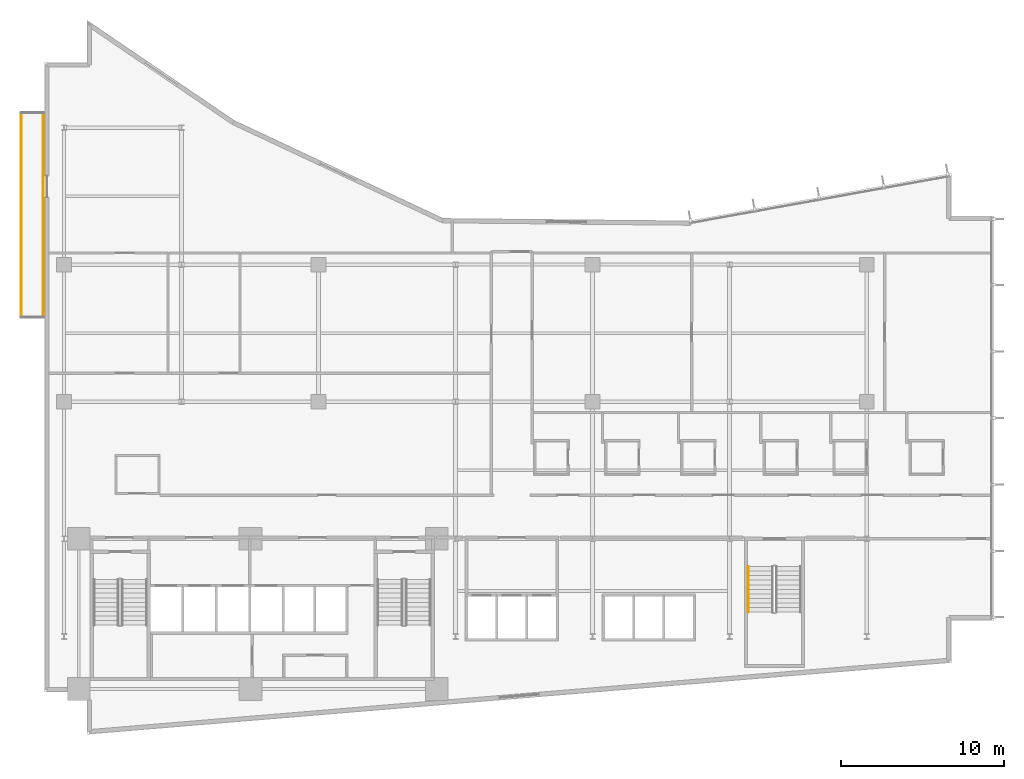
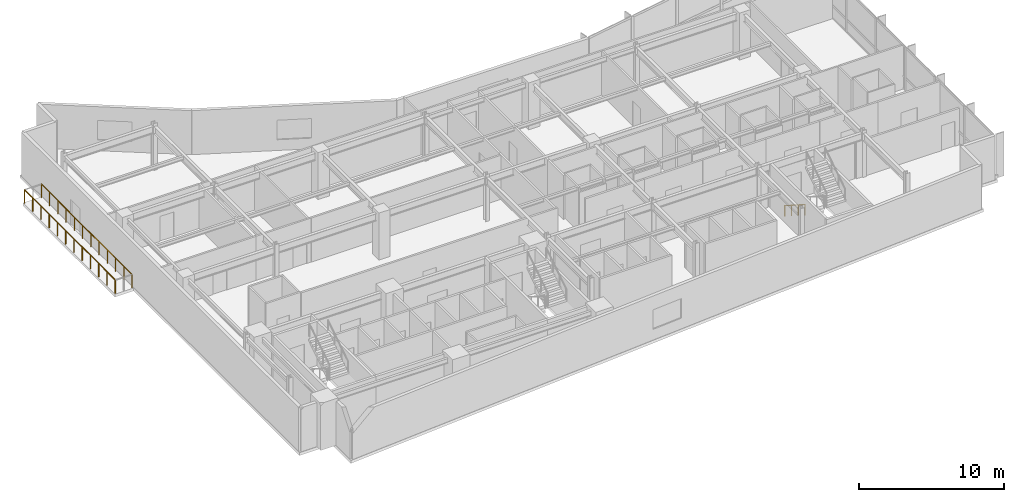
# One storey, part 17 of 20: 3 railings.
"""IFC4 building model written with IfcOpenShell, lengths in metres."""

from ifc_helpers import new_model, si_unit, direction, frame, origin, origin_2d, place, context, subcontext, project, spatial, circle, extrude, material, type_object, element, save


model = new_model("IFC4")

# Units and contexts
model_context = context("Model", 3, precision=1e-05, world=origin(), true_north=direction((0.0, 1.0)))
body_context = subcontext(model_context, "Body", "Model", "MODEL_VIEW")
ifc_project = project(units=[si_unit("LENGTHUNIT", "METRE"), si_unit("AREAUNIT", "SQUARE_METRE"), si_unit("VOLUMEUNIT", "CUBIC_METRE"), si_unit("PLANEANGLEUNIT", "RADIAN"), si_unit("MASSUNIT", "GRAM", prefix="KILO")], contexts=[model_context])

# Site, building, storey
site_placement = place(None, origin())
site = spatial("IfcSite", under=ifc_project, at=site_placement, CompositionType="ELEMENT")
building_placement = place(site_placement, origin())
building = spatial("IfcBuilding", under=site, at=building_placement, Name="Varnakote Quay Hospital", CompositionType="ELEMENT")
storey_placement = place(building_placement, frame((0.0, 0.0, 81.75)))
storey = spatial("IfcBuildingStorey", under=building, at=storey_placement, Name="L20", CompositionType="ELEMENT", Elevation=81.75)

# Railings
ifc_material_1 = material(Name="Anodised aluminium 6063-T6 Bronze", Category="aluminium")
railing_type_1 = type_object("IfcRailingType", Name="RLG-EXT-GUARD-1150", PredefinedType="GUARDRAIL", material=ifc_material_1)
railing_1_placement = place(storey_placement, frame((-1.419921875, 25.580078125, 0.0)))
element("IfcRailing", 1, at=railing_1_placement, inside=storey, type_object=railing_type_1, Name="L20 Zigzag Prow Healing Terrace Safety Guard", PredefinedType="GUARDRAIL", context=body_context, shape_type="SweptSolid", body=[
    extrude(circle(Radius=0.02392578125, at=origin_2d()), frame((0.0, 0.0, 1.1259765625), z_axis=(0.0, 1.0, 0.0), x_axis=(-1.0, 0.0, 0.0)), (0.0, 0.0, 1.0), 12.5400390625),
    extrude(circle(Radius=0.02099609375, at=origin_2d()), origin(), (0.0, 0.0, 1.0), 1.101806640625),
    extrude(circle(Radius=0.02099609375, at=origin_2d()), frame((0.0, 1.139892578125, 0.0)), (0.0, 0.0, 1.0), 1.101806640625),
    extrude(circle(Radius=0.02099609375, at=origin_2d()), frame((0.0, 2.280029296875, 0.0)), (0.0, 0.0, 1.0), 1.101806640625),
    extrude(circle(Radius=0.02099609375, at=origin_2d()), frame((0.0, 3.419921875, 0.0)), (0.0, 0.0, 1.0), 1.101806640625),
    extrude(circle(Radius=0.02099609375, at=origin_2d()), frame((0.0, 4.56005859375, 0.0)), (0.0, 0.0, 1.0), 1.101806640625),
    extrude(circle(Radius=0.02099609375, at=origin_2d()), frame((0.0, 5.699951171875, 0.0)), (0.0, 0.0, 1.0), 1.101806640625),
    extrude(circle(Radius=0.02099609375, at=origin_2d()), frame((0.0, 6.840087890625, 0.0)), (0.0, 0.0, 1.0), 1.101806640625),
    extrude(circle(Radius=0.02099609375, at=origin_2d()), frame((0.0, 7.97998046875, 0.0)), (0.0, 0.0, 1.0), 1.101806640625),
    extrude(circle(Radius=0.02099609375, at=origin_2d()), frame((0.0, 9.1201171875, 0.0)), (0.0, 0.0, 1.0), 1.101806640625),
    extrude(circle(Radius=0.02099609375, at=origin_2d()), frame((0.0, 10.260009765625, 0.0)), (0.0, 0.0, 1.0), 1.101806640625),
    extrude(circle(Radius=0.02099609375, at=origin_2d()), frame((0.0, 11.400146484375, 0.0)), (0.0, 0.0, 1.0), 1.101806640625),
    extrude(circle(Radius=0.02099609375, at=origin_2d()), frame((0.0, 12.5400390625, 0.0)), (0.0, 0.0, 1.0), 1.101806640625),
])
railing_2_placement = place(storey_placement, frame((-0.075927734375, 38.1201171875, 0.0)))
element("IfcRailing", 2, at=railing_2_placement, inside=storey, type_object=railing_type_1, Name="L20 Zigzag Prow Healing Terrace Safety Guard", PredefinedType="GUARDRAIL", context=body_context, shape_type="SweptSolid", body=[
    extrude(circle(Radius=0.02392578125, at=origin_2d()), frame((0.0, 0.0, 1.1259765625), z_axis=(0.0, -1.0, 0.0), x_axis=(1.0, 0.0, 0.0)), (0.0, 0.0, 1.0), 12.5400390625),
    extrude(circle(Radius=0.02099609375, at=origin_2d()), origin(), (0.0, 0.0, 1.0), 1.101806640625),
    extrude(circle(Radius=0.02099609375, at=origin_2d()), frame((0.0, -1.139892578125, 0.0)), (0.0, 0.0, 1.0), 1.101806640625),
    extrude(circle(Radius=0.02099609375, at=origin_2d()), frame((0.0, -2.280029296875, 0.0)), (0.0, 0.0, 1.0), 1.101806640625),
    extrude(circle(Radius=0.02099609375, at=origin_2d()), frame((0.0, -3.419921875, 0.0)), (0.0, 0.0, 1.0), 1.101806640625),
    extrude(circle(Radius=0.02099609375, at=origin_2d()), frame((0.0, -4.56005859375, 0.0)), (0.0, 0.0, 1.0), 1.101806640625),
    extrude(circle(Radius=0.02099609375, at=origin_2d()), frame((0.0, -5.699951171875, 0.0)), (0.0, 0.0, 1.0), 1.101806640625),
    extrude(circle(Radius=0.02099609375, at=origin_2d()), frame((0.0, -6.840087890625, 0.0)), (0.0, 0.0, 1.0), 1.101806640625),
    extrude(circle(Radius=0.02099609375, at=origin_2d()), frame((0.0, -7.97998046875, 0.0)), (0.0, 0.0, 1.0), 1.101806640625),
    extrude(circle(Radius=0.02099609375, at=origin_2d()), frame((0.0, -9.1201171875, 0.0)), (0.0, 0.0, 1.0), 1.101806640625),
    extrude(circle(Radius=0.02099609375, at=origin_2d()), frame((0.0, -10.260009765625, 0.0)), (0.0, 0.0, 1.0), 1.101806640625),
    extrude(circle(Radius=0.02099609375, at=origin_2d()), frame((0.0, -11.400146484375, 0.0)), (0.0, 0.0, 1.0), 1.101806640625),
    extrude(circle(Radius=0.02099609375, at=origin_2d()), frame((0.0, -12.5400390625, 0.0)), (0.0, 0.0, 1.0), 1.101806640625),
])
ifc_material_2 = material(Name="Brushed stainless steel handrail", Category="steel")
railing_type_2 = type_object("IfcRailingType", Name="RLG-STAIR-HND-920", PredefinedType="HANDRAIL", material=ifc_material_2)
railing_3_placement = place(storey_placement, frame((43.14990234375, 10.300048828125, 0.179443359375)))
element("IfcRailing", 3, at=railing_3_placement, inside=storey, type_object=railing_type_2, Name="L20 ST-03 stair handrail 1", PredefinedType="HANDRAIL", context=body_context, shape_type="SweptSolid", body=[
    extrude(circle(Radius=0.02392578125, at=origin_2d()), frame((0.0, 0.0, 0.8759765625), z_axis=(0.0, -0.841776520102, 0.539826166654), x_axis=(1.0, 0.0, 0.0)), (0.0, 0.0, 1.0), 3.326416015625),
    extrude(circle(Radius=0.02099609375, at=origin_2d()), origin(), (0.0, 0.0, 1.0), 0.851806640625),
    extrude(circle(Radius=0.02099609375, at=origin_2d()), frame((0.0, -0.933349609375, 0.5986328125)), (0.0, 0.0, 1.0), 0.851806640625),
    extrude(circle(Radius=0.02099609375, at=origin_2d()), frame((0.0, -1.86669921875, 1.197021484375)), (0.0, 0.0, 1.0), 0.851806640625),
    extrude(circle(Radius=0.02099609375, at=origin_2d()), frame((0.0, -2.800048828125, 1.795654296875)), (0.0, 0.0, 1.0), 0.851806640625),
])

save(model, "model.ifc")
